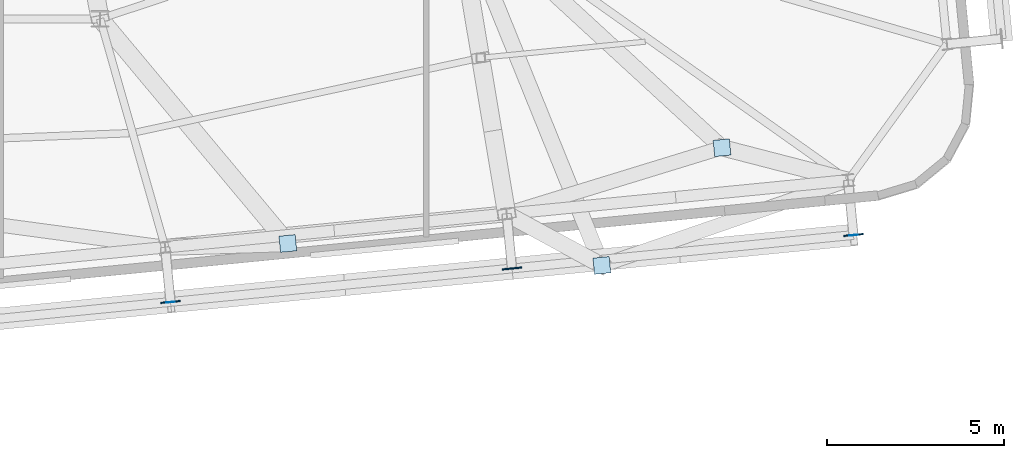
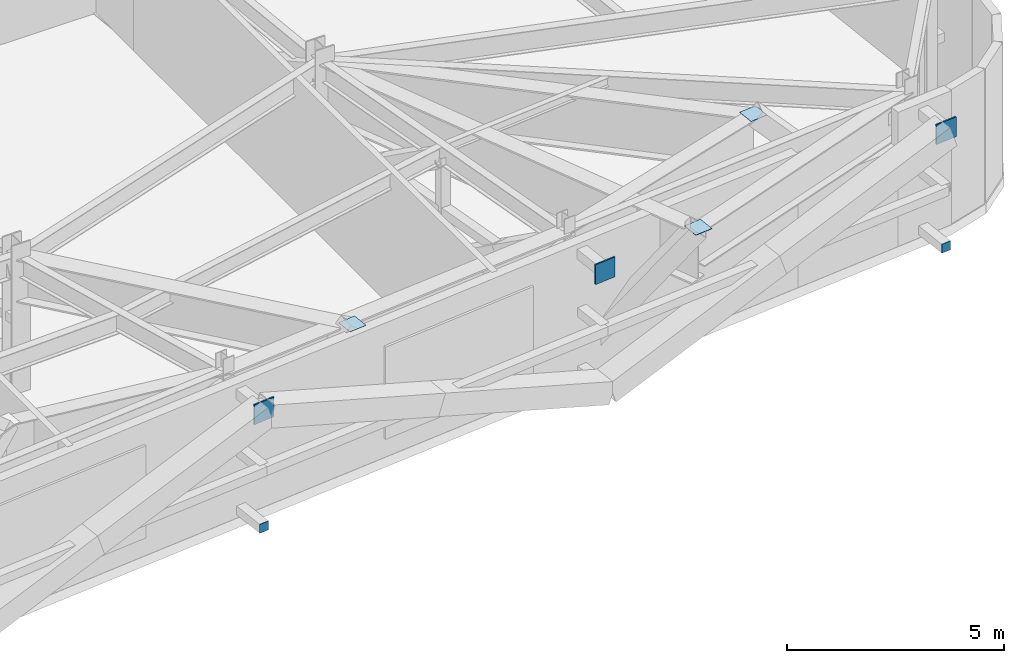
# One storey, part 16 of 24: 8 plates.
"""IFC4 building model written with IfcOpenShell, lengths in metres."""

import ifcopenshell
import ifcopenshell.guid

model = None  # the IFC model being written
_history = None  # IfcOwnerHistory: only IFC2X3 demands one
_inside = {}  # id of a spatial element -> (the spatial element, [elements in it])
_under = {}  # id of a project, library or spatial element -> (it, [spatial elements below it])
_declared = {}  # id of a project -> (the project, [libraries it declares])
_typed = {}  # id of a type object -> (the type object, [elements of that type])
_made_of = {}  # id of a material, layer set ... -> (it, [elements and type objects made of it])


def new_model(schema):
    """Start an empty IFC model of exactly this schema.

    Asked for "IFC4X3", IfcOpenShell would pick the latest addendum, in which some entities
    have other attributes; the version numbers below select the first issue.
    IFC2X3 requires an IfcOwnerHistory on every rooted entity: one is made here for all.
    """
    global model, _history
    if schema == "IFC4X3":
        model = ifcopenshell.file(schema_version=(4, 3, 0, 0))
    else:
        model = ifcopenshell.file(schema=schema)
    _inside.clear()
    _under.clear()
    _declared.clear()
    _typed.clear()
    _made_of.clear()
    _history = None
    if model.schema == "IFC2X3":
        org = make("IfcOrganization", Name="unknown")
        user = make(
            "IfcPersonAndOrganization",
            ThePerson=make("IfcPerson", FamilyName="unknown"),
            TheOrganization=org,
        )
        app = make(
            "IfcApplication",
            ApplicationDeveloper=org,
            Version="unknown",
            ApplicationFullName="unknown",
            ApplicationIdentifier="unknown",
        )
        _history = make(
            "IfcOwnerHistory",
            OwningUser=user,
            OwningApplication=app,
            ChangeAction="ADDED",
            CreationDate=0,
        )
    return model


def make(cls, **values):
    """One entity of the class cls with the attributes given. An attribute that is None is left unset."""
    return model.create_entity(
        cls, **{name: value for name, value in values.items() if value is not None}
    )


def rooted(cls, **values):
    """An entity with a GlobalId (a new one), such as an element, a storey or a relation."""
    return make(cls, GlobalId=ifcopenshell.guid.new(), OwnerHistory=_history, **values)


def si_unit(unit_type, name, prefix=None):
    """IfcSIUnit, for example si_unit("LENGTHUNIT", "METRE", prefix="MILLI")."""
    return make("IfcSIUnit", UnitType=unit_type, Prefix=prefix, Name=name)


def assignment(units):
    """IfcUnitAssignment: the units of a project."""
    return None if units is None else make("IfcUnitAssignment", Units=units)


def point(xyz):
    """IfcCartesianPoint."""
    return None if xyz is None else make("IfcCartesianPoint", Coordinates=xyz)


def direction(xyz):
    """IfcDirection."""
    return None if xyz is None else make("IfcDirection", DirectionRatios=xyz)


def frame(location, z_axis=None, x_axis=None):
    """IfcAxis2Placement3D, a coordinate frame: its origin and axes. An axis left out is left unset."""
    return make(
        "IfcAxis2Placement3D",
        Location=point(location),
        Axis=direction(z_axis),
        RefDirection=direction(x_axis),
    )


def frame_2d(location, x_axis=None):
    """IfcAxis2Placement2D, a coordinate frame in the plane: its origin and x axis."""
    return make(
        "IfcAxis2Placement2D", Location=point(location), RefDirection=direction(x_axis)
    )


def origin():
    """The frame at (0, 0, 0) with its axes left unset."""
    return frame((0.0, 0.0, 0.0))


def origin_2d():
    """The frame at (0, 0) in the plane with its x axis left unset."""
    return frame_2d((0.0, 0.0))


def place(relative_to, where):
    """IfcLocalPlacement: puts the frame where relative to a parent placement (None: the world)."""
    return make(
        "IfcLocalPlacement", PlacementRelTo=relative_to, RelativePlacement=where
    )


def context(
    kind, dimensions, precision=None, world=None, true_north=None, identifier=None
):
    """IfcGeometricRepresentationContext, for example the 3D "Model" context."""
    return make(
        "IfcGeometricRepresentationContext",
        ContextIdentifier=identifier,
        ContextType=kind,
        CoordinateSpaceDimension=dimensions,
        Precision=precision,
        WorldCoordinateSystem=world,
        TrueNorth=true_north,
    )


def subcontext(parent, identifier, kind, view, scale=None):
    """IfcGeometricRepresentationSubContext, for example "Body" below "Model"."""
    return make(
        "IfcGeometricRepresentationSubContext",
        ContextIdentifier=identifier,
        ContextType=kind,
        ParentContext=parent,
        TargetScale=scale,
        TargetView=view,
    )


def project(units=None, contexts=None):
    """IfcProject with its units and contexts."""
    return rooted(
        "IfcProject",
        Name="project",
        RepresentationContexts=contexts,
        UnitsInContext=assignment(units),
    )


def spatial(cls, under=None, at=None, **own):
    """A site, building, storey or space (cls), placed at a placement, below another one or the project."""
    s = rooted(cls, ObjectPlacement=at, **own)
    if under is not None:
        _under.setdefault(under.id(), (under, []))[1].append(s)
    return s


def profile(cls, at=None, kind="AREA", **sizes):
    """A parametric profile (cls). Its sizes go by their IFC names, for example OverallWidth=200.0."""
    return make(cls, ProfileType=kind, Position=at, **sizes)


def rectangle(**sizes):
    """IfcRectangleProfileDef."""
    return profile("IfcRectangleProfileDef", **sizes)


def extrude(swept, where, along, depth):
    """IfcExtrudedAreaSolid: the profile swept, set in the frame where, extruded along a direction by depth."""
    return make(
        "IfcExtrudedAreaSolid",
        SweptArea=swept,
        Position=where,
        ExtrudedDirection=direction(along),
        Depth=depth,
    )


def shape(context_of_items, identifier, shape_type, items):
    """IfcShapeRepresentation: the items that make up one representation, for example the "Body"."""
    return make(
        "IfcShapeRepresentation",
        ContextOfItems=context_of_items,
        RepresentationIdentifier=identifier,
        RepresentationType=shape_type,
        Items=items,
    )


def source(mapping_origin, context_of_items, identifier, shape_type, items):
    """IfcRepresentationMap: a shape defined once, which mapped items show again and again."""
    return make(
        "IfcRepresentationMap",
        MappingOrigin=mapping_origin,
        MappedRepresentation=shape(context_of_items, identifier, shape_type, items),
    )


def transform(
    local_origin,
    x_axis=None,
    y_axis=None,
    z_axis=None,
    scale=None,
    scale2=None,
    scale3=None,
    uniform=True,
):
    """IfcCartesianTransformationOperator3D, or its non-uniform kind. x_axis, y_axis, z_axis: its Axis1, 2, 3."""
    if uniform:
        return make(
            "IfcCartesianTransformationOperator3D",
            Axis1=direction(x_axis),
            Axis2=direction(y_axis),
            LocalOrigin=point(local_origin),
            Scale=scale,
            Axis3=direction(z_axis),
        )
    return make(
        "IfcCartesianTransformationOperator3DnonUniform",
        Axis1=direction(x_axis),
        Axis2=direction(y_axis),
        LocalOrigin=point(local_origin),
        Scale=scale,
        Axis3=direction(z_axis),
        Scale2=scale2,
        Scale3=scale3,
    )


def mapped(mapping_source, mapping_target):
    """IfcMappedItem: shows the shape of a source again, moved by a transform."""
    return make(
        "IfcMappedItem", MappingSource=mapping_source, MappingTarget=mapping_target
    )


def material(Name=None, Category=None):
    """IfcMaterial."""
    return make("IfcMaterial", Name=Name, Category=Category)


def layer(
    of_material, thickness, ventilated=None, Name=None, Category=None, Priority=None
):
    """IfcMaterialLayer: one layer of a wall or slab, of a material (None: an air gap)."""
    return make(
        "IfcMaterialLayer",
        Material=of_material,
        LayerThickness=thickness,
        IsVentilated=ventilated,
        Name=Name,
        Category=Category,
        Priority=Priority,
    )


def layer_set(layers, Name=None):
    """IfcMaterialLayerSet."""
    return make("IfcMaterialLayerSet", MaterialLayers=layers, LayerSetName=Name)


def made_of(thing, what):
    """Note that an element or type object is made of a material, layer set ...; save() writes the relation."""
    if what is not None:
        _made_of.setdefault(what.id(), (what, []))[1].append(thing)
    return thing


def type_object(cls, material=None, **own):
    """A type object (cls), such as IfcWallType, which elements share."""
    return made_of(rooted(cls, **own), material)


def element(
    cls,
    number,
    at=None,
    inside=None,
    cuts=None,
    type_object=None,
    material=None,
    context=None,
    identifier="Body",
    shape_type=None,
    held_by="IfcProductDefinitionShape",
    body=None,
    shapes=None,
    **own,
):
    """One element of the class cls, such as IfcWall. Its Tag is "e" and its number.

    at: its placement. inside: the storey or other place that contains it. cuts: it is an
    opening in that element (IfcRelVoidsElement). A single representation is given by context,
    identifier, shape_type and body (its items); several are given by shapes. held_by: the class
    of the entity that holds the representations. save() writes the other relations.
    """
    e = rooted(cls, Tag="e%d" % number, ObjectPlacement=at, **own)
    if body is not None:
        shapes = [shape(context, identifier, shape_type, body)]
    if shapes is not None:
        e.Representation = make(held_by, Representations=shapes)
    if inside is not None:
        _inside.setdefault(inside.id(), (inside, []))[1].append(e)
    if cuts is not None:
        rooted(
            "IfcRelVoidsElement", RelatingBuildingElement=cuts, RelatedOpeningElement=e
        )
    if type_object is not None:
        _typed.setdefault(type_object.id(), (type_object, []))[1].append(e)
    return made_of(e, material)


def aggregate(whole, parts):
    """IfcRelAggregates: a whole, such as a stair, and the parts it consists of."""
    return rooted("IfcRelAggregates", RelatingObject=whole, RelatedObjects=parts)


def save(model, path):
    """Write the relations noted so far, then the file.

    IfcRelAggregates (storeys below a building ...), IfcRelContainedInSpatialStructure (elements
    in a storey), IfcRelDefinesByType, IfcRelAssociatesMaterial and IfcRelDeclares: one each for
    every whole, place, type object, material and project.
    """
    for whole, parts in _under.values():
        aggregate(whole, parts)
    for where, things in _inside.values():
        rooted(
            "IfcRelContainedInSpatialStructure",
            RelatedElements=things,
            RelatingStructure=where,
        )
    for kind, things in _typed.values():
        rooted("IfcRelDefinesByType", RelatedObjects=things, RelatingType=kind)
    for what, things in _made_of.values():
        rooted("IfcRelAssociatesMaterial", RelatedObjects=things, RelatingMaterial=what)
    for by, libraries in _declared.values():
        rooted("IfcRelDeclares", RelatingContext=by, RelatedDefinitions=libraries)
    model.write(path)


model = new_model("IFC4")

# Units and contexts
model_context = context("Model", 3, precision=1e-05, world=origin(), true_north=direction((0.0, 1.0)))
body_context = subcontext(model_context, "Body", "Model", "MODEL_VIEW")
ifc_project = project(units=[si_unit("LENGTHUNIT", "METRE"), si_unit("AREAUNIT", "SQUARE_METRE"), si_unit("VOLUMEUNIT", "CUBIC_METRE"), si_unit("PLANEANGLEUNIT", "RADIAN"), si_unit("MASSUNIT", "GRAM", prefix="KILO")], contexts=[model_context])

# Site, building, storey
site_placement = place(None, origin())
site = spatial("IfcSite", under=ifc_project, at=site_placement, CompositionType="ELEMENT")
building_placement = place(site_placement, origin())
building = spatial("IfcBuilding", under=site, at=building_placement, Name="Taldren Reach Tower", CompositionType="ELEMENT")
storey_placement = place(building_placement, frame((0.0, 0.0, 112.35009765625)))
storey = spatial("IfcBuildingStorey", under=building, at=storey_placement, Name="L34", CompositionType="ELEMENT", Elevation=112.35009765625)

# Plates
ifc_material_1 = material(Name="Steel Gr 450 (C450L0)", Category="steel")
ifc_layer_1 = layer(ifc_material_1, 0.0400390625)
ifc_layer_set_1 = layer_set([ifc_layer_1], Name="Steel Gr 450 (C450L0)")
plate_type_1 = type_object("IfcPlateType", Name="PL-GUSSET-40", PredefinedType="SHEET", material=ifc_layer_set_1)
shared_shape_1 = source(origin(), body_context, "Body", "SweptSolid", [
    extrude(rectangle(XDim=0.56005859375, YDim=0.0400390625, at=origin_2d()), origin(), (0.0, 0.0, 1.0), 0.56005859375),
])
for number, where, z_axis, x_axis, name in (
    (1, (43.98681640625, 1.21142578125, 3.219970703125), (0.0, 0.0, 1.0), (0.995227399982, 0.097582899759, 0.0), "Exoskeleton star-node gusset plate B2-S4 L34"),
    (2, (53.62060546875, 2.156005859375, 3.219970703125), (0.0, 0.0, 1.0), (0.995227399982, 0.097582899759, 0.0), "Exoskeleton star-node gusset plate B2-S5 L34"),
    (3, (63.25439453125, 3.1005859375, 3.219970703125), (0.0, 0.0, 1.0), (0.995227399982, 0.097582899759, 0.0), "Exoskeleton star-node gusset plate B2-S6 L34"),
):
    element("IfcPlate", number, at=place(storey_placement, frame(where, z_axis=z_axis, x_axis=x_axis)), inside=storey, type_object=plate_type_1, Name=name, PredefinedType="SHEET", context=body_context, shape_type="MappedRepresentation", body=[
        mapped(shared_shape_1, transform((0.0, 0.0, 0.0), scale=1.0)),
    ])
ifc_material_2 = material(Name="Steel Gr 350 (C350L0)", Category="steel")
ifc_layer_2 = layer(ifc_material_2, 0.011962890625)
ifc_layer_set_2 = layer_set([ifc_layer_2], Name="Steel Gr 350 (C350L0)")
plate_type_2 = type_object("IfcPlateType", Name="PL-CAP-250", PredefinedType="SHEET", material=ifc_layer_set_2)
shared_shape_2 = source(origin(), body_context, "Body", "SweptSolid", [
    extrude(rectangle(XDim=0.25, YDim=0.011962890625, at=origin_2d()), origin(), (0.0, 0.0, 1.0), 0.25),
])
for number, where, z_axis, x_axis, name in (
    (4, (43.9873046875, 1.205322265625, 0.094970703125), (0.0, 0.0, 1.0), (0.995227399982, 0.097582899759, 0.0), "Tie strut end cap plate B2-S4 L34"),
    (5, (63.255126953125, 3.094482421875, 0.094970703125), (0.0, 0.0, 1.0), (0.995227399982, 0.097582899759, 0.0), "Tie strut end cap plate B2-S6 L34"),
):
    element("IfcPlate", number, at=place(storey_placement, frame(where, z_axis=z_axis, x_axis=x_axis)), inside=storey, type_object=plate_type_2, Name=name, PredefinedType="SHEET", context=body_context, shape_type="MappedRepresentation", body=[
        mapped(shared_shape_2, transform((0.0, 0.0, 0.0), scale=1.0)),
    ])
ifc_layer_3 = layer(ifc_material_1, 0.011962890625)
ifc_layer_set_3 = layer_set([ifc_layer_3], Name="Steel Gr 450 (C450L0)")
plate_type_3 = type_object("IfcPlateType", Name="PL-CAP-460", PredefinedType="SHEET", material=ifc_layer_set_3)
shared_shape_3 = source(origin(), body_context, "Body", "SweptSolid", [
    extrude(rectangle(XDim=0.4599609375, YDim=0.4599609375, at=origin_2d()), origin(), (0.0, 0.0, 1.0), 0.011962890625),
])
for number, where, z_axis, x_axis, name in (
    (6, (47.297119140625, 2.860595703125, 3.76806640625), (0.0, 0.0, 1.0), (0.995227399982, 0.097582899759, 0.0), "Transfer strut end cap plate TS-B3-S5 L34"),
    (7, (56.155517578125, 2.2412109375, 3.76806640625), (0.0, 0.0, 1.0), (0.995227399982, 0.097582899759, 0.0), "Transfer strut end cap plate TS-B3-S6 L34"),
    (8, (59.54541015625, 5.562744140625, 3.76806640625), (0.0, 0.0, 1.0), (0.995227399982, 0.097582899759, 0.0), "Transfer strut end cap plate TS-B3-E1 L34"),
):
    element("IfcPlate", number, at=place(storey_placement, frame(where, z_axis=z_axis, x_axis=x_axis)), inside=storey, type_object=plate_type_3, Name=name, PredefinedType="SHEET", context=body_context, shape_type="MappedRepresentation", body=[
        mapped(shared_shape_3, transform((0.0, 0.0, 0.0), scale=1.0)),
    ])

save(model, "model.ifc")
